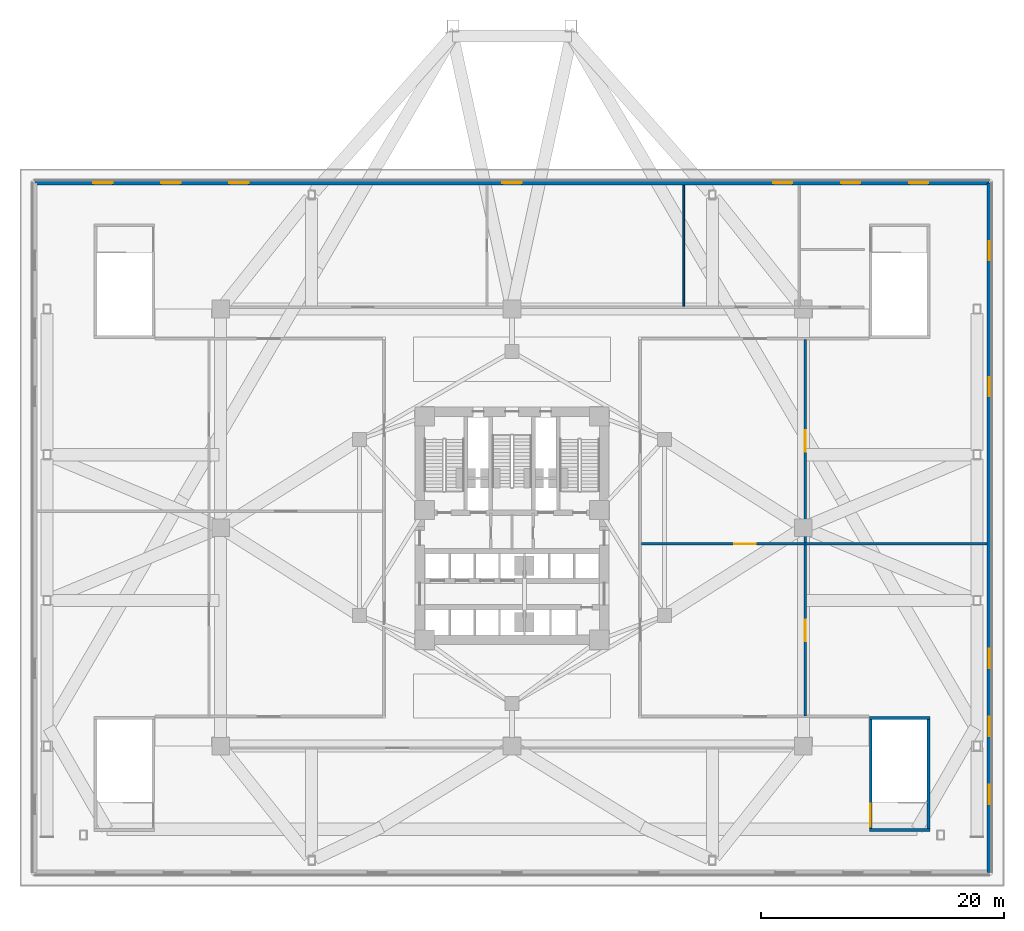
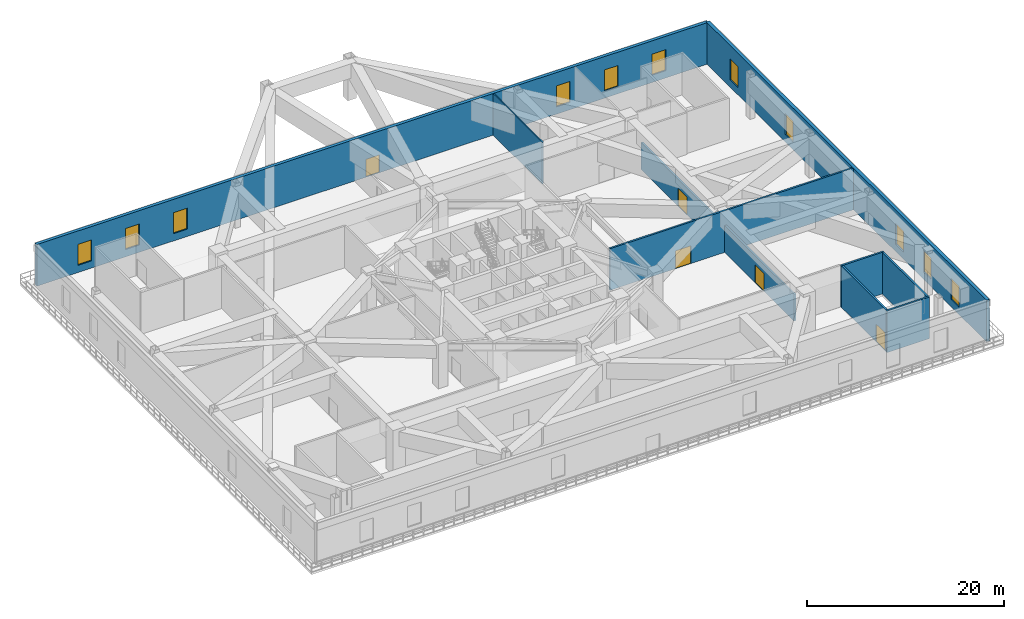
# One storey, part 9 of 15: 11 windows, 10 walls, 5 doors, 16 openings.
"""IFC4 building model written with IfcOpenShell, lengths in metres."""

import ifcopenshell
import ifcopenshell.guid

model = None  # the IFC model being written
_history = None  # IfcOwnerHistory: only IFC2X3 demands one
_inside = {}  # id of a spatial element -> (the spatial element, [elements in it])
_under = {}  # id of a project, library or spatial element -> (it, [spatial elements below it])
_declared = {}  # id of a project -> (the project, [libraries it declares])
_typed = {}  # id of a type object -> (the type object, [elements of that type])
_made_of = {}  # id of a material, layer set ... -> (it, [elements and type objects made of it])


def new_model(schema):
    """Start an empty IFC model of exactly this schema.

    Asked for "IFC4X3", IfcOpenShell would pick the latest addendum, in which some entities
    have other attributes; the version numbers below select the first issue.
    IFC2X3 requires an IfcOwnerHistory on every rooted entity: one is made here for all.
    """
    global model, _history
    if schema == "IFC4X3":
        model = ifcopenshell.file(schema_version=(4, 3, 0, 0))
    else:
        model = ifcopenshell.file(schema=schema)
    _inside.clear()
    _under.clear()
    _declared.clear()
    _typed.clear()
    _made_of.clear()
    _history = None
    if model.schema == "IFC2X3":
        org = make("IfcOrganization", Name="unknown")
        user = make(
            "IfcPersonAndOrganization",
            ThePerson=make("IfcPerson", FamilyName="unknown"),
            TheOrganization=org,
        )
        app = make(
            "IfcApplication",
            ApplicationDeveloper=org,
            Version="unknown",
            ApplicationFullName="unknown",
            ApplicationIdentifier="unknown",
        )
        _history = make(
            "IfcOwnerHistory",
            OwningUser=user,
            OwningApplication=app,
            ChangeAction="ADDED",
            CreationDate=0,
        )
    return model


def make(cls, **values):
    """One entity of the class cls with the attributes given. An attribute that is None is left unset."""
    return model.create_entity(
        cls, **{name: value for name, value in values.items() if value is not None}
    )


def rooted(cls, **values):
    """An entity with a GlobalId (a new one), such as an element, a storey or a relation."""
    return make(cls, GlobalId=ifcopenshell.guid.new(), OwnerHistory=_history, **values)


def si_unit(unit_type, name, prefix=None):
    """IfcSIUnit, for example si_unit("LENGTHUNIT", "METRE", prefix="MILLI")."""
    return make("IfcSIUnit", UnitType=unit_type, Prefix=prefix, Name=name)


def assignment(units):
    """IfcUnitAssignment: the units of a project."""
    return None if units is None else make("IfcUnitAssignment", Units=units)


def point(xyz):
    """IfcCartesianPoint."""
    return None if xyz is None else make("IfcCartesianPoint", Coordinates=xyz)


def direction(xyz):
    """IfcDirection."""
    return None if xyz is None else make("IfcDirection", DirectionRatios=xyz)


def frame(location, z_axis=None, x_axis=None):
    """IfcAxis2Placement3D, a coordinate frame: its origin and axes. An axis left out is left unset."""
    return make(
        "IfcAxis2Placement3D",
        Location=point(location),
        Axis=direction(z_axis),
        RefDirection=direction(x_axis),
    )


def frame_2d(location, x_axis=None):
    """IfcAxis2Placement2D, a coordinate frame in the plane: its origin and x axis."""
    return make(
        "IfcAxis2Placement2D", Location=point(location), RefDirection=direction(x_axis)
    )


def origin():
    """The frame at (0, 0, 0) with its axes left unset."""
    return frame((0.0, 0.0, 0.0))


def place(relative_to, where):
    """IfcLocalPlacement: puts the frame where relative to a parent placement (None: the world)."""
    return make(
        "IfcLocalPlacement", PlacementRelTo=relative_to, RelativePlacement=where
    )


def context(
    kind, dimensions, precision=None, world=None, true_north=None, identifier=None
):
    """IfcGeometricRepresentationContext, for example the 3D "Model" context."""
    return make(
        "IfcGeometricRepresentationContext",
        ContextIdentifier=identifier,
        ContextType=kind,
        CoordinateSpaceDimension=dimensions,
        Precision=precision,
        WorldCoordinateSystem=world,
        TrueNorth=true_north,
    )


def subcontext(parent, identifier, kind, view, scale=None):
    """IfcGeometricRepresentationSubContext, for example "Body" below "Model"."""
    return make(
        "IfcGeometricRepresentationSubContext",
        ContextIdentifier=identifier,
        ContextType=kind,
        ParentContext=parent,
        TargetScale=scale,
        TargetView=view,
    )


def project(units=None, contexts=None):
    """IfcProject with its units and contexts."""
    return rooted(
        "IfcProject",
        Name="project",
        RepresentationContexts=contexts,
        UnitsInContext=assignment(units),
    )


def spatial(cls, under=None, at=None, **own):
    """A site, building, storey or space (cls), placed at a placement, below another one or the project."""
    s = rooted(cls, ObjectPlacement=at, **own)
    if under is not None:
        _under.setdefault(under.id(), (under, []))[1].append(s)
    return s


def profile(cls, at=None, kind="AREA", **sizes):
    """A parametric profile (cls). Its sizes go by their IFC names, for example OverallWidth=200.0."""
    return make(cls, ProfileType=kind, Position=at, **sizes)


def rectangle(**sizes):
    """IfcRectangleProfileDef."""
    return profile("IfcRectangleProfileDef", **sizes)


def extrude(swept, where, along, depth):
    """IfcExtrudedAreaSolid: the profile swept, set in the frame where, extruded along a direction by depth."""
    return make(
        "IfcExtrudedAreaSolid",
        SweptArea=swept,
        Position=where,
        ExtrudedDirection=direction(along),
        Depth=depth,
    )


def shape(context_of_items, identifier, shape_type, items):
    """IfcShapeRepresentation: the items that make up one representation, for example the "Body"."""
    return make(
        "IfcShapeRepresentation",
        ContextOfItems=context_of_items,
        RepresentationIdentifier=identifier,
        RepresentationType=shape_type,
        Items=items,
    )


def material(Name=None, Category=None):
    """IfcMaterial."""
    return make("IfcMaterial", Name=Name, Category=Category)


def layer(
    of_material, thickness, ventilated=None, Name=None, Category=None, Priority=None
):
    """IfcMaterialLayer: one layer of a wall or slab, of a material (None: an air gap)."""
    return make(
        "IfcMaterialLayer",
        Material=of_material,
        LayerThickness=thickness,
        IsVentilated=ventilated,
        Name=Name,
        Category=Category,
        Priority=Priority,
    )


def layer_set(layers, Name=None):
    """IfcMaterialLayerSet."""
    return make("IfcMaterialLayerSet", MaterialLayers=layers, LayerSetName=Name)


def made_of(thing, what):
    """Note that an element or type object is made of a material, layer set ...; save() writes the relation."""
    if what is not None:
        _made_of.setdefault(what.id(), (what, []))[1].append(thing)
    return thing


def type_object(cls, material=None, **own):
    """A type object (cls), such as IfcWallType, which elements share."""
    return made_of(rooted(cls, **own), material)


def element(
    cls,
    number,
    at=None,
    inside=None,
    cuts=None,
    type_object=None,
    material=None,
    context=None,
    identifier="Body",
    shape_type=None,
    held_by="IfcProductDefinitionShape",
    body=None,
    shapes=None,
    **own,
):
    """One element of the class cls, such as IfcWall. Its Tag is "e" and its number.

    at: its placement. inside: the storey or other place that contains it. cuts: it is an
    opening in that element (IfcRelVoidsElement). A single representation is given by context,
    identifier, shape_type and body (its items); several are given by shapes. held_by: the class
    of the entity that holds the representations. save() writes the other relations.
    """
    e = rooted(cls, Tag="e%d" % number, ObjectPlacement=at, **own)
    if body is not None:
        shapes = [shape(context, identifier, shape_type, body)]
    if shapes is not None:
        e.Representation = make(held_by, Representations=shapes)
    if inside is not None:
        _inside.setdefault(inside.id(), (inside, []))[1].append(e)
    if cuts is not None:
        rooted(
            "IfcRelVoidsElement", RelatingBuildingElement=cuts, RelatedOpeningElement=e
        )
    if type_object is not None:
        _typed.setdefault(type_object.id(), (type_object, []))[1].append(e)
    return made_of(e, material)


def fill(opening, filler):
    """IfcRelFillsElement: the door or window that sits in an opening."""
    return rooted(
        "IfcRelFillsElement",
        RelatingOpeningElement=opening,
        RelatedBuildingElement=filler,
    )


def aggregate(whole, parts):
    """IfcRelAggregates: a whole, such as a stair, and the parts it consists of."""
    return rooted("IfcRelAggregates", RelatingObject=whole, RelatedObjects=parts)


def save(model, path):
    """Write the relations noted so far, then the file.

    IfcRelAggregates (storeys below a building ...), IfcRelContainedInSpatialStructure (elements
    in a storey), IfcRelDefinesByType, IfcRelAssociatesMaterial and IfcRelDeclares: one each for
    every whole, place, type object, material and project.
    """
    for whole, parts in _under.values():
        aggregate(whole, parts)
    for where, things in _inside.values():
        rooted(
            "IfcRelContainedInSpatialStructure",
            RelatedElements=things,
            RelatingStructure=where,
        )
    for kind, things in _typed.values():
        rooted("IfcRelDefinesByType", RelatedObjects=things, RelatingType=kind)
    for what, things in _made_of.values():
        rooted("IfcRelAssociatesMaterial", RelatedObjects=things, RelatingMaterial=what)
    for by, libraries in _declared.values():
        rooted("IfcRelDeclares", RelatingContext=by, RelatedDefinitions=libraries)
    model.write(path)


model = new_model("IFC4")

# Units and contexts
model_context = context("Model", 3, precision=1e-05, world=origin(), true_north=direction((0.0, 1.0)))
body_context = subcontext(model_context, "Body", "Model", "MODEL_VIEW")
ifc_project = project(units=[si_unit("LENGTHUNIT", "METRE"), si_unit("AREAUNIT", "SQUARE_METRE"), si_unit("VOLUMEUNIT", "CUBIC_METRE"), si_unit("PLANEANGLEUNIT", "RADIAN"), si_unit("MASSUNIT", "GRAM", prefix="KILO")], contexts=[model_context])

# Site, building, storey
site_placement = place(None, origin())
site = spatial("IfcSite", under=ifc_project, at=site_placement, CompositionType="ELEMENT")
building_placement = place(site_placement, origin())
building = spatial("IfcBuilding", under=site, at=building_placement, Name="Apsidion Concourse Tower", CompositionType="ELEMENT")
storey_placement = place(building_placement, frame((0.0, 0.0, 23.5)))
storey = spatial("IfcBuildingStorey", under=building, at=storey_placement, Name="L04", CompositionType="ELEMENT", Elevation=23.5)

# Wall, openings, door, windows
ifc_material_1 = material(Name="Precast concrete C40/50", Category="concrete")
ifc_layer_1 = layer(ifc_material_1, 0.360107421875)
ifc_layer_set_1 = layer_set([ifc_layer_1], Name="Precast concrete C40/50")
wall_type_1 = type_object("IfcWallType", Name="WL-EXT-360", PredefinedType="STANDARD", material=ifc_layer_set_1)
wall_1_placement = place(storey_placement, frame((-39.300048828125, 28.39990234375, 0.0), z_axis=(0.0, 0.0, 1.0), x_axis=(1.0, 0.0, 0.0)))
wall_1 = element("IfcWall", 1, at=wall_1_placement, inside=storey, type_object=wall_type_1, Name="L04 Podium Precast Stone Facade Wall N", PredefinedType="STANDARD", context=body_context, shape_type="SweptSolid", body=[
    extrude(rectangle(XDim=78.60009765625, YDim=0.360107421875, at=frame_2d((39.300048828125, 0.0))), origin(), (0.0, 0.0, 1.0), 5.14990234375),
])
opening_1_placement = place(wall_1_placement, frame((38.5, 0.0, 0.0)))
opening_1 = element("IfcOpeningElement", 2, at=opening_1_placement, cuts=wall_1, Name="Opening D-T2D", PredefinedType="OPENING", context=body_context, shape_type="SweptSolid", body=[
    extrude(rectangle(XDim=1.60009765625, YDim=2.199951171875, at=frame_2d((0.800048828125, 1.10009765625))), frame((0.0, 0.18994140625, 0.0), z_axis=(0.0, -1.0, 0.0), x_axis=(1.0, 0.0, 0.0)), (0.0, 0.0, 1.0), 0.380126953125),
])
opening_2_placement = place(wall_1_placement, frame((4.800048828125, 0.0, 0.89990234375)))
opening_2 = element("IfcOpeningElement", 3, at=opening_2_placement, cuts=wall_1, Name="Opening WN-02", PredefinedType="OPENING", context=body_context, shape_type="SweptSolid", body=[
    extrude(rectangle(XDim=1.60009765625, YDim=2.60009765625, at=frame_2d((0.800048828125, 1.300048828125))), frame((0.0, 0.18994140625, 0.0), z_axis=(0.0, -1.0, 0.0), x_axis=(1.0, 0.0, 0.0)), (0.0, 0.0, 1.0), 0.380126953125),
])
opening_3_placement = place(wall_1_placement, frame((10.39990234375, 0.0, 0.89990234375)))
opening_3 = element("IfcOpeningElement", 4, at=opening_3_placement, cuts=wall_1, Name="Opening WN-02", PredefinedType="OPENING", context=body_context, shape_type="SweptSolid", body=[
    extrude(rectangle(XDim=1.60009765625, YDim=2.60009765625, at=frame_2d((0.800048828125, 1.300048828125))), frame((0.0, 0.18994140625, 0.0), z_axis=(0.0, -1.0, 0.0), x_axis=(1.0, 0.0, 0.0)), (0.0, 0.0, 1.0), 0.380126953125),
])
opening_4_placement = place(wall_1_placement, frame((16.0, 0.0, 0.89990234375)))
opening_4 = element("IfcOpeningElement", 5, at=opening_4_placement, cuts=wall_1, Name="Opening WN-02", PredefinedType="OPENING", context=body_context, shape_type="SweptSolid", body=[
    extrude(rectangle(XDim=1.60009765625, YDim=2.60009765625, at=frame_2d((0.800048828125, 1.300048828125))), frame((0.0, 0.18994140625, 0.0), z_axis=(0.0, -1.0, 0.0), x_axis=(1.0, 0.0, 0.0)), (0.0, 0.0, 1.0), 0.380126953125),
])
opening_5_placement = place(wall_1_placement, frame((60.800048828125, 0.0, 0.89990234375)))
opening_5 = element("IfcOpeningElement", 6, at=opening_5_placement, cuts=wall_1, Name="Opening WN-02", PredefinedType="OPENING", context=body_context, shape_type="SweptSolid", body=[
    extrude(rectangle(XDim=1.60009765625, YDim=2.60009765625, at=frame_2d((0.800048828125, 1.300048828125))), frame((0.0, 0.18994140625, 0.0), z_axis=(0.0, -1.0, 0.0), x_axis=(1.0, 0.0, 0.0)), (0.0, 0.0, 1.0), 0.380126953125),
])
opening_6_placement = place(wall_1_placement, frame((66.39990234375, 0.0, 0.89990234375)))
opening_6 = element("IfcOpeningElement", 7, at=opening_6_placement, cuts=wall_1, Name="Opening WN-02", PredefinedType="OPENING", context=body_context, shape_type="SweptSolid", body=[
    extrude(rectangle(XDim=1.60009765625, YDim=2.60009765625, at=frame_2d((0.800048828125, 1.300048828125))), frame((0.0, 0.18994140625, 0.0), z_axis=(0.0, -1.0, 0.0), x_axis=(1.0, 0.0, 0.0)), (0.0, 0.0, 1.0), 0.380126953125),
])
opening_7_placement = place(wall_1_placement, frame((72.0, 0.0, 0.89990234375)))
opening_7 = element("IfcOpeningElement", 8, at=opening_7_placement, cuts=wall_1, Name="Opening WN-02", PredefinedType="OPENING", context=body_context, shape_type="SweptSolid", body=[
    extrude(rectangle(XDim=1.60009765625, YDim=2.60009765625, at=frame_2d((0.800048828125, 1.300048828125))), frame((0.0, 0.18994140625, 0.0), z_axis=(0.0, -1.0, 0.0), x_axis=(1.0, 0.0, 0.0)), (0.0, 0.0, 1.0), 0.380126953125),
])
ifc_material_2 = material(Name="Anodised aluminium EN AW-6063 T6", Category="aluminium")
door_type_1 = type_object("IfcDoorType", Name="DR-TER-1622D", OperationType="DOUBLE_DOOR_SINGLE_SWING", PredefinedType="DOOR", material=ifc_material_2)
door_1_placement = place(opening_1_placement, origin())
door_1 = element("IfcDoor", 9, at=door_1_placement, inside=storey, type_object=door_type_1, Name="L04 Podium Terrace Access Door N", OperationType="DOUBLE_DOOR_SINGLE_SWING", OverallHeight=2.199951171875, OverallWidth=1.60009765625, PredefinedType="DOOR", context=body_context, shape_type="SweptSolid", body=[
    extrude(rectangle(XDim=1.60009765625, YDim=2.199951171875, at=frame_2d((0.800048828125, 1.10009765625))), frame((0.0, 0.02490234375, 0.0), z_axis=(0.0, -1.0, 0.0), x_axis=(1.0, 0.0, 0.0)), (0.0, 0.0, 1.0), 0.050048828125),
])
fill(opening_1, door_1)
ifc_material_3 = material(Name="Insulated laminated low-E glass", Category="glass")
window_type = type_object("IfcWindowType", Name="WN-POD-1626", PartitioningType="DOUBLE_PANEL_VERTICAL", PredefinedType="WINDOW", material=ifc_material_3)
window_1_placement = place(opening_2_placement, origin())
window_1 = element("IfcWindow", 10, at=window_1_placement, inside=storey, type_object=window_type, Name="L04 Podium Window N-01", OverallHeight=2.60009765625, OverallWidth=1.60009765625, PartitioningType="DOUBLE_PANEL_VERTICAL", PredefinedType="WINDOW", context=body_context, shape_type="SweptSolid", body=[
    extrude(rectangle(XDim=1.60009765625, YDim=2.60009765625, at=frame_2d((0.800048828125, 1.300048828125))), frame((0.0, 0.030029296875, 0.0), z_axis=(0.0, -1.0, 0.0), x_axis=(1.0, 0.0, 0.0)), (0.0, 0.0, 1.0), 0.06005859375),
])
fill(opening_2, window_1)
window_2_placement = place(opening_3_placement, origin())
window_2 = element("IfcWindow", 11, at=window_2_placement, inside=storey, type_object=window_type, Name="L04 Podium Window N-02", OverallHeight=2.60009765625, OverallWidth=1.60009765625, PartitioningType="DOUBLE_PANEL_VERTICAL", PredefinedType="WINDOW", context=body_context, shape_type="SweptSolid", body=[
    extrude(rectangle(XDim=1.60009765625, YDim=2.60009765625, at=frame_2d((0.800048828125, 1.300048828125))), frame((0.0, 0.030029296875, 0.0), z_axis=(0.0, -1.0, 0.0), x_axis=(1.0, 0.0, 0.0)), (0.0, 0.0, 1.0), 0.06005859375),
])
fill(opening_3, window_2)
window_3_placement = place(opening_4_placement, origin())
window_3 = element("IfcWindow", 12, at=window_3_placement, inside=storey, type_object=window_type, Name="L04 Podium Window N-03", OverallHeight=2.60009765625, OverallWidth=1.60009765625, PartitioningType="DOUBLE_PANEL_VERTICAL", PredefinedType="WINDOW", context=body_context, shape_type="SweptSolid", body=[
    extrude(rectangle(XDim=1.60009765625, YDim=2.60009765625, at=frame_2d((0.800048828125, 1.300048828125))), frame((0.0, 0.030029296875, 0.0), z_axis=(0.0, -1.0, 0.0), x_axis=(1.0, 0.0, 0.0)), (0.0, 0.0, 1.0), 0.06005859375),
])
fill(opening_4, window_3)
window_4_placement = place(opening_5_placement, origin())
window_4 = element("IfcWindow", 13, at=window_4_placement, inside=storey, type_object=window_type, Name="L04 Podium Window N-11", OverallHeight=2.60009765625, OverallWidth=1.60009765625, PartitioningType="DOUBLE_PANEL_VERTICAL", PredefinedType="WINDOW", context=body_context, shape_type="SweptSolid", body=[
    extrude(rectangle(XDim=1.60009765625, YDim=2.60009765625, at=frame_2d((0.800048828125, 1.300048828125))), frame((0.0, 0.030029296875, 0.0), z_axis=(0.0, -1.0, 0.0), x_axis=(1.0, 0.0, 0.0)), (0.0, 0.0, 1.0), 0.06005859375),
])
fill(opening_5, window_4)
window_5_placement = place(opening_6_placement, origin())
window_5 = element("IfcWindow", 14, at=window_5_placement, inside=storey, type_object=window_type, Name="L04 Podium Window N-12", OverallHeight=2.60009765625, OverallWidth=1.60009765625, PartitioningType="DOUBLE_PANEL_VERTICAL", PredefinedType="WINDOW", context=body_context, shape_type="SweptSolid", body=[
    extrude(rectangle(XDim=1.60009765625, YDim=2.60009765625, at=frame_2d((0.800048828125, 1.300048828125))), frame((0.0, 0.030029296875, 0.0), z_axis=(0.0, -1.0, 0.0), x_axis=(1.0, 0.0, 0.0)), (0.0, 0.0, 1.0), 0.06005859375),
])
fill(opening_6, window_5)
window_6_placement = place(opening_7_placement, origin())
window_6 = element("IfcWindow", 15, at=window_6_placement, inside=storey, type_object=window_type, Name="L04 Podium Window N-13", OverallHeight=2.60009765625, OverallWidth=1.60009765625, PartitioningType="DOUBLE_PANEL_VERTICAL", PredefinedType="WINDOW", context=body_context, shape_type="SweptSolid", body=[
    extrude(rectangle(XDim=1.60009765625, YDim=2.60009765625, at=frame_2d((0.800048828125, 1.300048828125))), frame((0.0, 0.030029296875, 0.0), z_axis=(0.0, -1.0, 0.0), x_axis=(1.0, 0.0, 0.0)), (0.0, 0.0, 1.0), 0.06005859375),
])
fill(opening_7, window_6)

# Wall, openings, windows
wall_2_placement = place(storey_placement, frame((39.300048828125, 28.39990234375, 0.0), z_axis=(0.0, 0.0, 1.0), x_axis=(0.0, -1.0, 0.0)))
wall_2 = element("IfcWall", 16, at=wall_2_placement, inside=storey, type_object=wall_type_1, Name="L04 Podium Precast Stone Facade Wall E", PredefinedType="STANDARD", context=body_context, shape_type="SweptSolid", body=[
    extrude(rectangle(XDim=56.7998046875, YDim=0.360107421875, at=frame_2d((28.39990234375, 0.0))), origin(), (0.0, 0.0, 1.0), 5.14990234375),
])
opening_8_placement = place(wall_2_placement, frame((4.800048828125, 0.0, 0.89990234375)))
opening_8 = element("IfcOpeningElement", 17, at=opening_8_placement, cuts=wall_2, Name="Opening WN-02", PredefinedType="OPENING", context=body_context, shape_type="SweptSolid", body=[
    extrude(rectangle(XDim=1.60009765625, YDim=2.60009765625, at=frame_2d((0.800048828125, 1.300048828125))), frame((0.0, 0.18994140625, 0.0), z_axis=(0.0, -1.0, 0.0), x_axis=(1.0, 0.0, 0.0)), (0.0, 0.0, 1.0), 0.380126953125),
])
opening_9_placement = place(wall_2_placement, frame((16.0, 0.0, 0.89990234375)))
opening_9 = element("IfcOpeningElement", 18, at=opening_9_placement, cuts=wall_2, Name="Opening WN-02", PredefinedType="OPENING", context=body_context, shape_type="SweptSolid", body=[
    extrude(rectangle(XDim=1.60009765625, YDim=2.60009765625, at=frame_2d((0.800048828125, 1.300048828125))), frame((0.0, 0.18994140625, 0.0), z_axis=(0.0, -1.0, 0.0), x_axis=(1.0, 0.0, 0.0)), (0.0, 0.0, 1.0), 0.380126953125),
])
opening_10_placement = place(wall_2_placement, frame((38.39990234375, 0.0, 0.89990234375)))
opening_10 = element("IfcOpeningElement", 19, at=opening_10_placement, cuts=wall_2, Name="Opening WN-02", PredefinedType="OPENING", context=body_context, shape_type="SweptSolid", body=[
    extrude(rectangle(XDim=1.60009765625, YDim=2.60009765625, at=frame_2d((0.800048828125, 1.300048828125))), frame((0.0, 0.18994140625, 0.0), z_axis=(0.0, -1.0, 0.0), x_axis=(1.0, 0.0, 0.0)), (0.0, 0.0, 1.0), 0.380126953125),
])
opening_11_placement = place(wall_2_placement, frame((44.0, 0.0, 0.89990234375)))
opening_11 = element("IfcOpeningElement", 20, at=opening_11_placement, cuts=wall_2, Name="Opening WN-02", PredefinedType="OPENING", context=body_context, shape_type="SweptSolid", body=[
    extrude(rectangle(XDim=1.60009765625, YDim=2.60009765625, at=frame_2d((0.800048828125, 1.300048828125))), frame((0.0, 0.18994140625, 0.0), z_axis=(0.0, -1.0, 0.0), x_axis=(1.0, 0.0, 0.0)), (0.0, 0.0, 1.0), 0.380126953125),
])
opening_12_placement = place(wall_2_placement, frame((49.60009765625, 0.0, 0.89990234375)))
opening_12 = element("IfcOpeningElement", 21, at=opening_12_placement, cuts=wall_2, Name="Opening WN-02", PredefinedType="OPENING", context=body_context, shape_type="SweptSolid", body=[
    extrude(rectangle(XDim=1.60009765625, YDim=2.60009765625, at=frame_2d((0.800048828125, 1.300048828125))), frame((0.0, 0.18994140625, 0.0), z_axis=(0.0, -1.0, 0.0), x_axis=(1.0, 0.0, 0.0)), (0.0, 0.0, 1.0), 0.380126953125),
])
window_7_placement = place(opening_8_placement, origin())
window_7 = element("IfcWindow", 22, at=window_7_placement, inside=storey, type_object=window_type, Name="L04 Podium Window E-01", OverallHeight=2.60009765625, OverallWidth=1.60009765625, PartitioningType="DOUBLE_PANEL_VERTICAL", PredefinedType="WINDOW", context=body_context, shape_type="SweptSolid", body=[
    extrude(rectangle(XDim=1.60009765625, YDim=2.60009765625, at=frame_2d((0.800048828125, 1.300048828125))), frame((0.0, 0.030029296875, 0.0), z_axis=(0.0, -1.0, 0.0), x_axis=(1.0, 0.0, 0.0)), (0.0, 0.0, 1.0), 0.06005859375),
])
fill(opening_8, window_7)
window_8_placement = place(opening_9_placement, origin())
window_8 = element("IfcWindow", 23, at=window_8_placement, inside=storey, type_object=window_type, Name="L04 Podium Window E-03", OverallHeight=2.60009765625, OverallWidth=1.60009765625, PartitioningType="DOUBLE_PANEL_VERTICAL", PredefinedType="WINDOW", context=body_context, shape_type="SweptSolid", body=[
    extrude(rectangle(XDim=1.60009765625, YDim=2.60009765625, at=frame_2d((0.800048828125, 1.300048828125))), frame((0.0, 0.030029296875, 0.0), z_axis=(0.0, -1.0, 0.0), x_axis=(1.0, 0.0, 0.0)), (0.0, 0.0, 1.0), 0.06005859375),
])
fill(opening_9, window_8)
window_9_placement = place(opening_10_placement, origin())
window_9 = element("IfcWindow", 24, at=window_9_placement, inside=storey, type_object=window_type, Name="L04 Podium Window E-07", OverallHeight=2.60009765625, OverallWidth=1.60009765625, PartitioningType="DOUBLE_PANEL_VERTICAL", PredefinedType="WINDOW", context=body_context, shape_type="SweptSolid", body=[
    extrude(rectangle(XDim=1.60009765625, YDim=2.60009765625, at=frame_2d((0.800048828125, 1.300048828125))), frame((0.0, 0.030029296875, 0.0), z_axis=(0.0, -1.0, 0.0), x_axis=(1.0, 0.0, 0.0)), (0.0, 0.0, 1.0), 0.06005859375),
])
fill(opening_10, window_9)
window_10_placement = place(opening_11_placement, origin())
window_10 = element("IfcWindow", 25, at=window_10_placement, inside=storey, type_object=window_type, Name="L04 Podium Window E-08", OverallHeight=2.60009765625, OverallWidth=1.60009765625, PartitioningType="DOUBLE_PANEL_VERTICAL", PredefinedType="WINDOW", context=body_context, shape_type="SweptSolid", body=[
    extrude(rectangle(XDim=1.60009765625, YDim=2.60009765625, at=frame_2d((0.800048828125, 1.300048828125))), frame((0.0, 0.030029296875, 0.0), z_axis=(0.0, -1.0, 0.0), x_axis=(1.0, 0.0, 0.0)), (0.0, 0.0, 1.0), 0.06005859375),
])
fill(opening_11, window_10)
window_11_placement = place(opening_12_placement, origin())
window_11 = element("IfcWindow", 26, at=window_11_placement, inside=storey, type_object=window_type, Name="L04 Podium Window E-09", OverallHeight=2.60009765625, OverallWidth=1.60009765625, PartitioningType="DOUBLE_PANEL_VERTICAL", PredefinedType="WINDOW", context=body_context, shape_type="SweptSolid", body=[
    extrude(rectangle(XDim=1.60009765625, YDim=2.60009765625, at=frame_2d((0.800048828125, 1.300048828125))), frame((0.0, 0.030029296875, 0.0), z_axis=(0.0, -1.0, 0.0), x_axis=(1.0, 0.0, 0.0)), (0.0, 0.0, 1.0), 0.06005859375),
])
fill(opening_12, window_11)

# Wall, opening, door
ifc_layer_2 = layer(ifc_material_2, 0.2099609375)
ifc_layer_set_2 = layer_set([ifc_layer_2], Name="Anodised aluminium EN AW-6063 T6")
wall_type_2 = type_object("IfcWallType", Name="WL-INT-MOV-210", PredefinedType="MOVABLE", material=ifc_layer_set_2)
wall_3_placement = place(storey_placement, frame((10.64990234375, -1.35009765625, 0.0), z_axis=(0.0, 0.0, 1.0), x_axis=(1.0, 0.0, 0.0)))
wall_3 = element("IfcWall", 27, at=wall_3_placement, inside=storey, type_object=wall_type_2, Name="L04 Interior Partition WL-L04-EH", PredefinedType="MOVABLE", context=body_context, shape_type="SweptSolid", body=[
    extrude(rectangle(XDim=28.455078125, YDim=0.2099609375, at=frame_2d((14.2275390625, 0.0))), origin(), (0.0, 0.0, 1.0), 5.14990234375),
])
opening_13_placement = place(wall_3_placement, frame((7.636474609375, 0.0, 0.0)))
opening_13 = element("IfcOpeningElement", 28, at=opening_13_placement, cuts=wall_3, Name="Opening D-06D", PredefinedType="OPENING", context=body_context, shape_type="SweptSolid", body=[
    extrude(rectangle(XDim=1.800048828125, YDim=2.199951171875, at=frame_2d((0.89990234375, 1.10009765625))), frame((0.0, 0.114990234375, 0.0), z_axis=(0.0, -1.0, 0.0), x_axis=(1.0, 0.0, 0.0)), (0.0, 0.0, 1.0), 0.22998046875),
])
ifc_material_4 = material(Name="Brushed stainless steel 316", Category="steel")
door_type_2 = type_object("IfcDoorType", Name="DR-INT-D06D", OperationType="DOUBLE_DOOR_SINGLE_SWING", PredefinedType="DOOR", material=ifc_material_4)
door_2_placement = place(opening_13_placement, origin())
door_2 = element("IfcDoor", 29, at=door_2_placement, inside=storey, type_object=door_type_2, Name="L04 Convention Door WL-L04-EH", OperationType="DOUBLE_DOOR_SINGLE_SWING", OverallHeight=2.199951171875, OverallWidth=1.800048828125, PredefinedType="DOOR", context=body_context, shape_type="SweptSolid", body=[
    extrude(rectangle(XDim=1.800048828125, YDim=2.199951171875, at=frame_2d((0.89990234375, 1.10009765625))), frame((0.0, 0.02490234375, 0.0), z_axis=(0.0, -1.0, 0.0), x_axis=(1.0, 0.0, 0.0)), (0.0, 0.0, 1.0), 0.050048828125),
])
fill(opening_13, door_2)

wall_4_placement = place(storey_placement, frame((24.14990234375, -15.5, 0.0), z_axis=(0.0, 0.0, 1.0), x_axis=(0.0, 1.0, 0.0)))
wall_4 = element("IfcWall", 30, at=wall_4_placement, inside=storey, type_object=wall_type_2, Name="L04 Interior Partition WL-L04-EV1", PredefinedType="MOVABLE", context=body_context, shape_type="SweptSolid", body=[
    extrude(rectangle(XDim=14.050048828125, YDim=0.2099609375, at=frame_2d((7.02490234375, 0.0))), origin(), (0.0, 0.0, 1.0), 3.330078125),
])
opening_14_placement = place(wall_4_placement, frame((6.125, 0.0, 0.0)))
opening_14 = element("IfcOpeningElement", 31, at=opening_14_placement, cuts=wall_4, Name="Opening D-06D", PredefinedType="OPENING", context=body_context, shape_type="SweptSolid", body=[
    extrude(rectangle(XDim=1.800048828125, YDim=2.199951171875, at=frame_2d((0.89990234375, 1.10009765625))), frame((0.0, 0.114990234375, 0.0), z_axis=(0.0, -1.0, 0.0), x_axis=(1.0, 0.0, 0.0)), (0.0, 0.0, 1.0), 0.22998046875),
])
door_3_placement = place(opening_14_placement, origin())
door_3 = element("IfcDoor", 32, at=door_3_placement, inside=storey, type_object=door_type_2, Name="L04 Convention Door WL-L04-EV1", OperationType="DOUBLE_DOOR_SINGLE_SWING", OverallHeight=2.199951171875, OverallWidth=1.800048828125, PredefinedType="DOOR", context=body_context, shape_type="SweptSolid", body=[
    extrude(rectangle(XDim=1.800048828125, YDim=2.199951171875, at=frame_2d((0.89990234375, 1.10009765625))), frame((0.0, 0.02490234375, 0.0), z_axis=(0.0, -1.0, 0.0), x_axis=(1.0, 0.0, 0.0)), (0.0, 0.0, 1.0), 0.050048828125),
])
fill(opening_14, door_3)

wall_5_placement = place(storey_placement, frame((24.14990234375, -1.25, 0.0), z_axis=(0.0, 0.0, 1.0), x_axis=(0.0, 1.0, 0.0)))
wall_5 = element("IfcWall", 33, at=wall_5_placement, inside=storey, type_object=wall_type_2, Name="L04 Interior Partition WL-L04-EV2", PredefinedType="MOVABLE", context=body_context, shape_type="SweptSolid", body=[
    extrude(rectangle(XDim=16.75, YDim=0.2099609375, at=frame_2d((8.375, 0.0))), origin(), (0.0, 0.0, 1.0), 3.330078125),
])
opening_15_placement = place(wall_5_placement, frame((7.47509765625, 0.0, 0.0)))
opening_15 = element("IfcOpeningElement", 34, at=opening_15_placement, cuts=wall_5, Name="Opening D-06D", PredefinedType="OPENING", context=body_context, shape_type="SweptSolid", body=[
    extrude(rectangle(XDim=1.800048828125, YDim=2.199951171875, at=frame_2d((0.89990234375, 1.10009765625))), frame((0.0, 0.114990234375, 0.0), z_axis=(0.0, -1.0, 0.0), x_axis=(1.0, 0.0, 0.0)), (0.0, 0.0, 1.0), 0.22998046875),
])
door_4_placement = place(opening_15_placement, origin())
door_4 = element("IfcDoor", 35, at=door_4_placement, inside=storey, type_object=door_type_2, Name="L04 Convention Door WL-L04-EV2", OperationType="DOUBLE_DOOR_SINGLE_SWING", OverallHeight=2.199951171875, OverallWidth=1.800048828125, PredefinedType="DOOR", context=body_context, shape_type="SweptSolid", body=[
    extrude(rectangle(XDim=1.800048828125, YDim=2.199951171875, at=frame_2d((0.89990234375, 1.10009765625))), frame((0.0, 0.02490234375, 0.0), z_axis=(0.0, -1.0, 0.0), x_axis=(1.0, 0.0, 0.0)), (0.0, 0.0, 1.0), 0.050048828125),
])
fill(opening_15, door_4)

# Walls
ifc_material_5 = material(Name="Gypsum plasterboard partition")
ifc_layer_3 = layer(ifc_material_5, 0.14990234375)
ifc_layer_set_3 = layer_set([ifc_layer_3], Name="Gypsum plasterboard partition")
wall_type_3 = type_object("IfcWallType", Name="WL-INT-PAR-150", PredefinedType="PARTITIONING", material=ifc_layer_set_3)
wall_6_placement = place(storey_placement, frame((14.14990234375, 18.25, 0.0), z_axis=(0.0, 0.0, 1.0), x_axis=(0.0, 1.0, 0.0)))
element("IfcWall", 36, at=wall_6_placement, inside=storey, type_object=wall_type_3, Name="L04 Interior Partition WL-L04-WCV1", PredefinedType="PARTITIONING", context=body_context, shape_type="SweptSolid", body=[
    extrude(rectangle(XDim=9.955078125, YDim=0.14990234375, at=frame_2d((4.9775390625, 0.0))), origin(), (0.0, 0.0, 1.0), 5.14990234375),
])
ifc_material_6 = material(Name="Concrete C50/60", Category="concrete")
ifc_layer_4 = layer(ifc_material_6, 0.219970703125)
ifc_layer_set_4 = layer_set([ifc_layer_4], Name="Concrete C50/60")
wall_type_4 = type_object("IfcWallType", Name="WL-SH-220", PredefinedType="SHEAR", material=ifc_layer_set_4)
for number, where, z_axis, x_axis, name in (
    (37, (29.429931640625, -24.909912109375, 0.0), (0.0, 0.0, 1.0), (1.0, 0.0, 0.0), "L04 Podium Stair ST-P2 Core Shear Wall S"),
    (38, (29.429931640625, -15.68994140625, 0.0), (0.0, 0.0, 1.0), (1.0, 0.0, 0.0), "L04 Podium Stair ST-P2 Core Shear Wall N"),
):
    element("IfcWall", number, at=place(storey_placement, frame(where, z_axis=z_axis, x_axis=x_axis)), inside=storey, type_object=wall_type_4, Name=name, PredefinedType="SHEAR", context=body_context, shape_type="SweptSolid", body=[
        extrude(rectangle(XDim=4.989990234375, YDim=0.219970703125, at=frame_2d((2.4951171875, 0.0))), origin(), (0.0, 0.0, 1.0), 5.14990234375),
    ])

# Wall, opening, door
wall_7_placement = place(storey_placement, frame((29.5400390625, -24.800048828125, 0.0), z_axis=(0.0, 0.0, 1.0), x_axis=(0.0, 1.0, 0.0)))
wall_7 = element("IfcWall", 39, at=wall_7_placement, inside=storey, type_object=wall_type_4, Name="L04 Podium Stair ST-P2 Core Shear Wall W", PredefinedType="SHEAR", context=body_context, shape_type="SweptSolid", body=[
    extrude(rectangle(XDim=9.0, YDim=0.219970703125, at=frame_2d((4.5, 0.0))), origin(), (0.0, 0.0, 1.0), 5.14990234375),
])
opening_16_placement = place(wall_7_placement, frame((0.139892578125, 0.0, 0.0)))
opening_16 = element("IfcOpeningElement", 40, at=opening_16_placement, cuts=wall_7, Name="Opening D-07D", PredefinedType="OPENING", context=body_context, shape_type="SweptSolid", body=[
    extrude(rectangle(XDim=1.89990234375, YDim=2.199951171875, at=frame_2d((0.949951171875, 1.10009765625))), frame((0.0, 0.1201171875, 0.0), z_axis=(0.0, -1.0, 0.0), x_axis=(1.0, 0.0, 0.0)), (0.0, 0.0, 1.0), 0.239990234375),
])
door_type_3 = type_object("IfcDoorType", Name="DR-INT-D07D", OperationType="DOUBLE_DOOR_SINGLE_SWING", PredefinedType="DOOR", material=ifc_material_4)
door_5_placement = place(opening_16_placement, origin())
door_5 = element("IfcDoor", 41, at=door_5_placement, inside=storey, type_object=door_type_3, Name="L04 Podium Exit Stair ST-P2 Entry Door", OperationType="DOUBLE_DOOR_SINGLE_SWING", OverallHeight=2.199951171875, OverallWidth=1.89990234375, PredefinedType="DOOR", context=body_context, shape_type="SweptSolid", body=[
    extrude(rectangle(XDim=1.89990234375, YDim=2.199951171875, at=frame_2d((0.949951171875, 1.10009765625))), frame((0.0, 0.02490234375, 0.0), z_axis=(0.0, -1.0, 0.0), x_axis=(1.0, 0.0, 0.0)), (0.0, 0.0, 1.0), 0.050048828125),
])
fill(opening_16, door_5)

# Wall
wall_8_placement = place(storey_placement, frame((34.31005859375, -24.800048828125, 0.0), z_axis=(0.0, 0.0, 1.0), x_axis=(0.0, 1.0, 0.0)))
element("IfcWall", 42, at=wall_8_placement, inside=storey, type_object=wall_type_4, Name="L04 Podium Stair ST-P2 Core Shear Wall E", PredefinedType="SHEAR", context=body_context, shape_type="SweptSolid", body=[
    extrude(rectangle(XDim=9.0, YDim=0.219970703125, at=frame_2d((4.5, 0.0))), origin(), (0.0, 0.0, 1.0), 5.14990234375),
])

save(model, "model.ifc")
